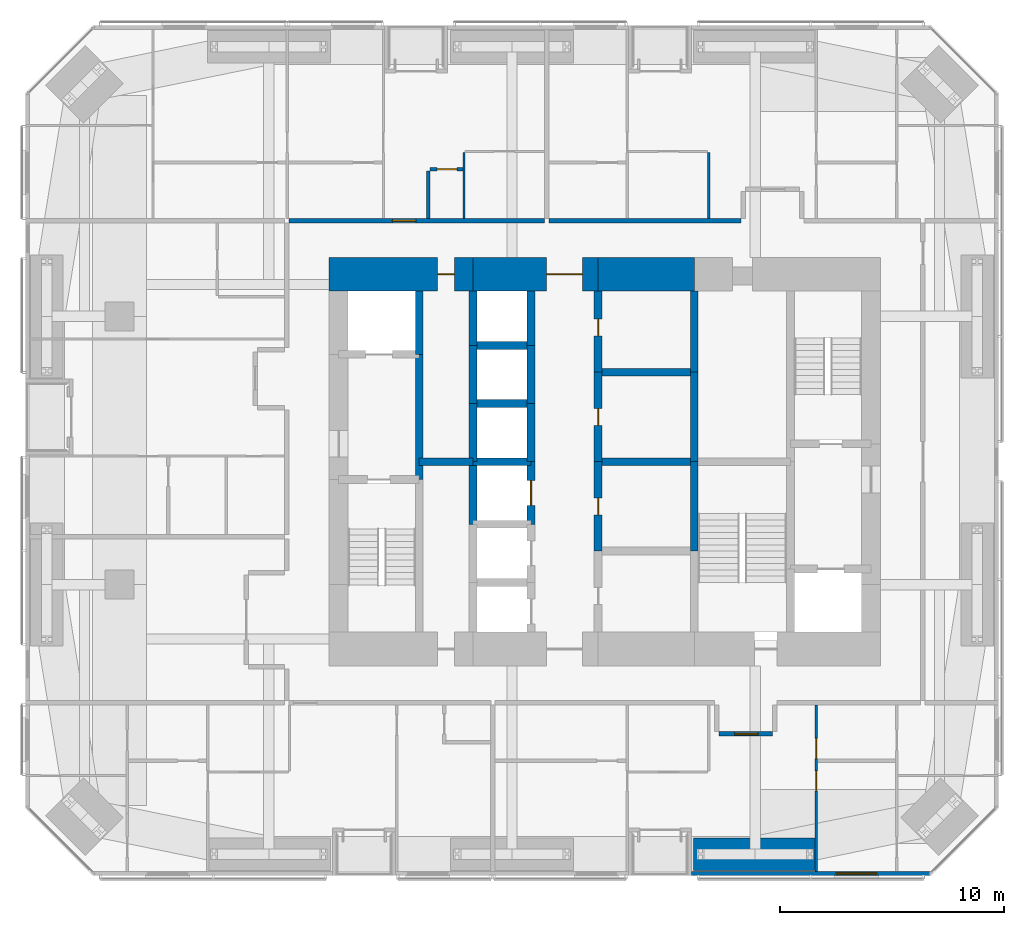
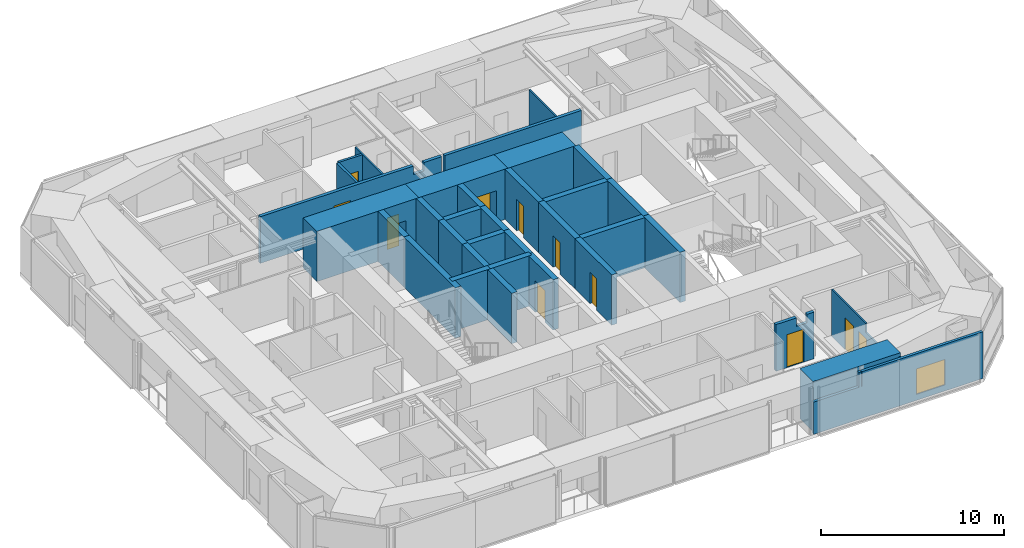
# One storey, part 20 of 24: 35 walls, 11 doors, 1 window, 12 openings.
"""IFC4 building model written with IfcOpenShell, lengths in metres."""

from ifc_helpers import new_model, si_unit, direction, frame, frame_2d, origin, place, context, subcontext, project, spatial, polyline, rectangle, outline, extrude, material, layer, layer_set, constituent, constituent_set, type_object, element, fill, save


model = new_model("IFC4")

# Units and contexts
model_context = context("Model", 3, precision=1e-05, world=origin(), true_north=direction((0.0, 1.0)))
body_context = subcontext(model_context, "Body", "Model", "MODEL_VIEW")
ifc_project = project(units=[si_unit("LENGTHUNIT", "METRE"), si_unit("AREAUNIT", "SQUARE_METRE"), si_unit("VOLUMEUNIT", "CUBIC_METRE"), si_unit("PLANEANGLEUNIT", "RADIAN"), si_unit("MASSUNIT", "GRAM", prefix="KILO")], contexts=[model_context])

# Site, building, storey
site_placement = place(None, origin())
site = spatial("IfcSite", under=ifc_project, at=site_placement, CompositionType="ELEMENT")
building_placement = place(site_placement, origin())
building = spatial("IfcBuilding", under=site, at=building_placement, Name="Jalousie Tower", CompositionType="ELEMENT")
storey_placement = place(building_placement, frame((0.0, 0.0, 124.949951171875)))
storey = spatial("IfcBuildingStorey", under=building, at=storey_placement, Name="L34", CompositionType="ELEMENT", Elevation=124.949951171875)

# Wall, opening, door
ifc_material_1 = material(Name="Concrete block ASTM C90", Category="concrete")
ifc_constituent_1 = constituent(ifc_material_1, Name="Body")
ifc_material_2 = material(Name="Render")
ifc_constituent_2 = constituent(ifc_material_2, Name="Finish")
ifc_constituent_set_1 = constituent_set(constituents=[ifc_constituent_1, ifc_constituent_2])
wall_type_1 = type_object("IfcWallType", Name="BATHROOM WALL 150", PredefinedType="PLUMBINGWALL", material=ifc_constituent_set_1)
wall_1_placement = place(storey_placement, frame((24.074951171875, 31.574951171875, 0.0), z_axis=(0.0, 0.0, 1.0), x_axis=(1.0, 0.0, 0.0)))
wall_1 = element("IfcWall", 1, at=wall_1_placement, inside=storey, type_object=wall_type_1, Name="Bathroom Wall 150 L34", PredefinedType="PLUMBINGWALL", context=body_context, shape_type="SweptSolid", body=[
    extrude(rectangle(XDim=1.47509765625, YDim=0.14990234375, at=frame_2d((0.737548828125, 0.0))), origin(), (0.0, 0.0, 1.0), 3.110107421875),
])
opening_1_placement = place(wall_1_placement, frame((0.324951171875, 0.0, 0.0)))
opening_1 = element("IfcOpeningElement", 2, at=opening_1_placement, cuts=wall_1, Name="Opening D7", PredefinedType="OPENING", context=body_context, shape_type="SweptSolid", body=[
    extrude(rectangle(XDim=0.89990234375, YDim=2.10009765625, at=frame_2d((0.449951171875, 1.050048828125))), frame((0.0, 0.0849609375, 0.0), z_axis=(0.0, -1.0, 0.0), x_axis=(1.0, 0.0, 0.0)), (0.0, 0.0, 1.0), 0.169921875),
])
ifc_material_3 = material(Name="Timber door", Category="wood")
door_type_1 = type_object("IfcDoorType", Name="INTERNAL DOOR 900", OperationType="SINGLE_SWING_LEFT", PredefinedType="DOOR", material=ifc_material_3)
door_1_placement = place(opening_1_placement, frame((0.89990234375, 0.0, 0.0), z_axis=(0.0, 0.0, 1.0), x_axis=(-1.0, 0.0, 0.0)))
door_1 = element("IfcDoor", 3, at=door_1_placement, inside=storey, type_object=door_type_1, Name="Apartment 3403 guest WC door", OperationType="SINGLE_SWING_LEFT", OverallHeight=2.10009765625, OverallWidth=0.89990234375, PredefinedType="DOOR", context=body_context, shape_type="SweptSolid", body=[
    extrude(rectangle(XDim=0.89990234375, YDim=2.10009765625, at=frame_2d((0.449951171875, 1.050048828125))), frame((0.0, 0.02490234375, 0.0), z_axis=(0.0, -1.0, 0.0), x_axis=(1.0, 0.0, 0.0)), (0.0, 0.0, 1.0), 0.050048828125),
])
fill(opening_1, door_1)

# Walls
wall_2_placement = place(storey_placement, frame((24.0, 31.5, 0.0), z_axis=(0.0, 0.0, 1.0), x_axis=(0.0, -1.0, 0.0)))
element("IfcWall", 4, at=wall_2_placement, inside=storey, type_object=wall_type_1, Name="Bathroom Wall 150 L34", PredefinedType="PLUMBINGWALL", context=body_context, shape_type="SweptSolid", body=[
    extrude(rectangle(XDim=2.125, YDim=0.14990234375, at=frame_2d((1.0625, 0.0))), origin(), (0.0, 0.0, 1.0), 3.110107421875),
])
ifc_material_4 = material(Name="Concrete f'c 120 MPa", Category="concrete")
ifc_layer_1 = layer(ifc_material_4, 1.5)
ifc_layer_set_1 = layer_set([ifc_layer_1], Name="Concrete f'c 120 MPa")
wall_type_2 = type_object("IfcWallType", Name="CORE WALL 1500", PredefinedType="SHEAR", material=ifc_layer_set_1)
wall_3_placement = place(storey_placement, frame((35.89990234375, 26.875, 0.0), z_axis=(0.0, 0.0, 1.0), x_axis=(-1.0, 0.0, 0.0)))
element("IfcWall", 5, at=wall_3_placement, inside=storey, type_object=wall_type_2, Name="Core wall NB L34", PredefinedType="SHEAR", context=body_context, shape_type="SweptSolid", body=[
    extrude(rectangle(XDim=4.2998046875, YDim=1.5, at=frame_2d((2.14990234375, 0.0))), origin(), (0.0, 0.0, 1.0), 3.35009765625),
])

# Wall, opening, door
wall_4_placement = place(storey_placement, frame((31.60009765625, 26.875, 0.0), z_axis=(0.0, 0.0, 1.0), x_axis=(-1.0, 0.0, 0.0)))
wall_4 = element("IfcWall", 6, at=wall_4_placement, inside=storey, type_object=wall_type_2, Name="Core wall NC L34", PredefinedType="SHEAR", context=body_context, shape_type="SweptSolid", body=[
    extrude(rectangle(XDim=5.60009765625, YDim=1.5, at=frame_2d((2.800048828125, 0.0))), origin(), (0.0, 0.0, 1.0), 3.35009765625),
])
opening_2_placement = place(wall_4_placement, frame((0.699951171875, 0.0, 0.0)))
opening_2 = element("IfcOpeningElement", 7, at=opening_2_placement, cuts=wall_4, Name="Opening D15", PredefinedType="OPENING", context=body_context, shape_type="SweptSolid", body=[
    extrude(rectangle(XDim=1.60009765625, YDim=2.10009765625, at=frame_2d((0.800048828125, 1.050048828125))), frame((0.0, 0.760009765625, 0.0), z_axis=(0.0, -1.0, 0.0), x_axis=(1.0, 0.0, 0.0)), (0.0, 0.0, 1.0), 1.52001953125),
])
ifc_material_5 = material(Name="Steel fire door", Category="steel")
door_type_2 = type_object("IfcDoorType", Name="LIFT LOBBY DOOR 1600", OperationType="DOUBLE_DOOR_SINGLE_SWING", PredefinedType="DOOR", material=ifc_material_5)
door_2_placement = place(opening_2_placement, origin())
door_2 = element("IfcDoor", 8, at=door_2_placement, inside=storey, type_object=door_type_2, Name="Lift lobby north door", OperationType="DOUBLE_DOOR_SINGLE_SWING", OverallHeight=2.10009765625, OverallWidth=1.60009765625, PredefinedType="DOOR", context=body_context, shape_type="SweptSolid", body=[
    extrude(rectangle(XDim=1.60009765625, YDim=2.10009765625, at=frame_2d((0.800048828125, 1.050048828125))), frame((0.0, 0.02490234375, 0.0), z_axis=(0.0, -1.0, 0.0), x_axis=(1.0, 0.0, 0.0)), (0.0, 0.0, 1.0), 0.050048828125),
])
fill(opening_2, door_2)

wall_5_placement = place(storey_placement, frame((26.0, 26.875, 0.0), z_axis=(0.0, 0.0, 1.0), x_axis=(-1.0, 0.0, 0.0)))
wall_5 = element("IfcWall", 9, at=wall_5_placement, inside=storey, type_object=wall_type_2, Name="Core wall ND L34", PredefinedType="SHEAR", context=body_context, shape_type="SweptSolid", body=[
    extrude(rectangle(XDim=6.425048828125, YDim=1.5, at=frame_2d((3.21240234375, 0.0))), origin(), (0.0, 0.0, 1.0), 3.35009765625),
])
opening_3_placement = place(wall_5_placement, frame((0.824951171875, 0.0, 0.0)))
opening_3 = element("IfcOpeningElement", 10, at=opening_3_placement, cuts=wall_5, Name="Opening D16", PredefinedType="OPENING", context=body_context, shape_type="SweptSolid", body=[
    extrude(rectangle(XDim=0.75, YDim=2.10009765625, at=frame_2d((0.375, 1.050048828125))), frame((0.0, 0.760009765625, 0.0), z_axis=(0.0, -1.0, 0.0), x_axis=(1.0, 0.0, 0.0)), (0.0, 0.0, 1.0), 1.52001953125),
])
ifc_material_6 = material(Name="Steel fire door", Category="steel")
door_type_3 = type_object("IfcDoorType", Name="RISER DOOR 750", OperationType="SINGLE_SWING_LEFT", PredefinedType="DOOR", material=ifc_material_6)
door_3_placement = place(opening_3_placement, origin())
door_3 = element("IfcDoor", 11, at=door_3_placement, inside=storey, type_object=door_type_3, Name="North riser door", OperationType="SINGLE_SWING_RIGHT", OverallHeight=2.10009765625, OverallWidth=0.75, PredefinedType="DOOR", context=body_context, shape_type="SweptSolid", body=[
    extrude(rectangle(XDim=0.75, YDim=2.10009765625, at=frame_2d((0.375, 1.050048828125))), frame((0.0, 0.02490234375, 0.0), z_axis=(0.0, -1.0, 0.0), x_axis=(1.0, 0.0, 0.0)), (0.0, 0.0, 1.0), 0.050048828125),
])
fill(opening_3, door_3)

# Walls
ifc_material_7 = material(Name="Concrete f'c 120 MPa", Category="concrete")
ifc_layer_2 = layer(ifc_material_7, 0.35009765625)
ifc_layer_set_2 = layer_set([ifc_layer_2], Name="Concrete f'c 120 MPa")
wall_type_3 = type_object("IfcWallType", Name="CORE WALL 350", PredefinedType="SHEAR", material=ifc_layer_set_2)
wall_6_placement = place(storey_placement, frame((23.60009765625, 17.699951171875, 0.0), z_axis=(0.0, 0.0, 1.0), x_axis=(0.0, 1.0, 0.0)))
element("IfcWall", 12, at=wall_6_placement, inside=storey, type_object=wall_type_3, Name="Core wall X23.6B L34", PredefinedType="SHEAR", context=body_context, shape_type="SweptSolid", body=[
    extrude(rectangle(XDim=5.60009765625, YDim=0.35009765625, at=frame_2d((2.800048828125, 0.0))), origin(), (0.0, 0.0, 1.0), 3.35009765625),
])
wall_7_placement = place(storey_placement, frame((23.60009765625, 23.300048828125, 0.0), z_axis=(0.0, 0.0, 1.0), x_axis=(0.0, 1.0, 0.0)))
element("IfcWall", 13, at=wall_7_placement, inside=storey, type_object=wall_type_3, Name="Core wall X23.6C L34", PredefinedType="SHEAR", context=body_context, shape_type="SweptSolid", body=[
    extrude(rectangle(XDim=2.824951171875, YDim=0.35009765625, at=frame_2d((1.41259765625, 0.0))), origin(), (0.0, 0.0, 1.0), 3.35009765625),
])
wall_8_placement = place(storey_placement, frame((26.0, 15.699951171875, 0.0), z_axis=(0.0, 0.0, 1.0), x_axis=(0.0, 1.0, 0.0)))
element("IfcWall", 14, at=wall_8_placement, inside=storey, type_object=wall_type_3, Name="Core wall X26C L34", PredefinedType="SHEAR", context=body_context, shape_type="SweptSolid", body=[
    extrude(rectangle(XDim=2.800048828125, YDim=0.35009765625, at=frame_2d((1.39990234375, 0.0))), origin(), (0.0, 0.0, 1.0), 3.35009765625),
])
wall_9_placement = place(storey_placement, frame((26.0, 18.5, 0.0), z_axis=(0.0, 0.0, 1.0), x_axis=(0.0, 1.0, 0.0)))
element("IfcWall", 15, at=wall_9_placement, inside=storey, type_object=wall_type_3, Name="Core wall X26D L34", PredefinedType="SHEAR", context=body_context, shape_type="SweptSolid", body=[
    extrude(rectangle(XDim=2.60009765625, YDim=0.35009765625, at=frame_2d((1.300048828125, 0.0))), origin(), (0.0, 0.0, 1.0), 3.35009765625),
])
wall_10_placement = place(storey_placement, frame((26.0, 21.10009765625, 0.0), z_axis=(0.0, 0.0, 1.0), x_axis=(0.0, 1.0, 0.0)))
element("IfcWall", 16, at=wall_10_placement, inside=storey, type_object=wall_type_3, Name="Core wall X26E L34", PredefinedType="SHEAR", context=body_context, shape_type="SweptSolid", body=[
    extrude(rectangle(XDim=2.599853515625, YDim=0.35009765625, at=frame_2d((1.2998046875, 0.0))), origin(), (0.0, 0.0, 1.0), 3.35009765625),
])
wall_11_placement = place(storey_placement, frame((26.0, 23.699951171875, 0.0), z_axis=(0.0, 0.0, 1.0), x_axis=(0.0, 1.0, 0.0)))
element("IfcWall", 17, at=wall_11_placement, inside=storey, type_object=wall_type_3, Name="Core wall X26F L34", PredefinedType="SHEAR", context=body_context, shape_type="SweptSolid", body=[
    extrude(rectangle(XDim=2.425048828125, YDim=0.35009765625, at=frame_2d((1.21240234375, 0.0))), origin(), (0.0, 0.0, 1.0), 3.35009765625),
])

# Wall, opening, door
wall_12_placement = place(storey_placement, frame((28.60009765625, 15.699951171875, 0.0), z_axis=(0.0, 0.0, 1.0), x_axis=(0.0, 1.0, 0.0)))
wall_12 = element("IfcWall", 18, at=wall_12_placement, inside=storey, type_object=wall_type_3, Name="Core wall X28.6C L34", PredefinedType="SHEAR", context=body_context, shape_type="SweptSolid", body=[
    extrude(rectangle(XDim=2.800048828125, YDim=0.35009765625, at=frame_2d((1.39990234375, 0.0))), origin(), (0.0, 0.0, 1.0), 3.35009765625),
])
opening_4_placement = place(wall_12_placement, frame((0.85009765625, 0.0, 0.0)))
opening_4 = element("IfcOpeningElement", 19, at=opening_4_placement, cuts=wall_12, Name="Opening LD1", PredefinedType="OPENING", context=body_context, shape_type="SweptSolid", body=[
    extrude(rectangle(XDim=1.10009765625, YDim=2.10009765625, at=frame_2d((0.550048828125, 1.050048828125))), frame((0.0, 0.18505859375, 0.0), z_axis=(0.0, -1.0, 0.0), x_axis=(1.0, 0.0, 0.0)), (0.0, 0.0, 1.0), 0.3701171875),
])
ifc_material_8 = material(Name="Steel lift landing door", Category="steel")
door_type_4 = type_object("IfcDoorType", Name="LIFT LANDING DOOR 1100", OperationType="SLIDING_TO_LEFT", PredefinedType="DOOR", material=ifc_material_8)
door_4_placement = place(opening_4_placement, origin())
door_4 = element("IfcDoor", 20, at=door_4_placement, inside=storey, type_object=door_type_4, Name="Lift P3 landing door", OperationType="SLIDING_TO_LEFT", OverallHeight=2.10009765625, OverallWidth=1.10009765625, PredefinedType="DOOR", context=body_context, shape_type="SweptSolid", body=[
    extrude(rectangle(XDim=1.10009765625, YDim=2.10009765625, at=frame_2d((0.550048828125, 1.050048828125))), frame((0.0, 0.02490234375, 0.0), z_axis=(0.0, -1.0, 0.0), x_axis=(1.0, 0.0, 0.0)), (0.0, 0.0, 1.0), 0.050048828125),
])
fill(opening_4, door_4)

# Walls
wall_13_placement = place(storey_placement, frame((28.60009765625, 18.5, 0.0), z_axis=(0.0, 0.0, 1.0), x_axis=(0.0, 1.0, 0.0)))
element("IfcWall", 21, at=wall_13_placement, inside=storey, type_object=wall_type_3, Name="Core wall X28.6D L34", PredefinedType="SHEAR", context=body_context, shape_type="SweptSolid", body=[
    extrude(rectangle(XDim=2.60009765625, YDim=0.35009765625, at=frame_2d((1.300048828125, 0.0))), origin(), (0.0, 0.0, 1.0), 3.35009765625),
])
wall_14_placement = place(storey_placement, frame((28.60009765625, 21.10009765625, 0.0), z_axis=(0.0, 0.0, 1.0), x_axis=(0.0, 1.0, 0.0)))
element("IfcWall", 22, at=wall_14_placement, inside=storey, type_object=wall_type_3, Name="Core wall X28.6E L34", PredefinedType="SHEAR", context=body_context, shape_type="SweptSolid", body=[
    extrude(rectangle(XDim=2.599853515625, YDim=0.35009765625, at=frame_2d((1.2998046875, 0.0))), origin(), (0.0, 0.0, 1.0), 3.35009765625),
])
wall_15_placement = place(storey_placement, frame((28.60009765625, 23.699951171875, 0.0), z_axis=(0.0, 0.0, 1.0), x_axis=(0.0, 1.0, 0.0)))
element("IfcWall", 23, at=wall_15_placement, inside=storey, type_object=wall_type_3, Name="Core wall X28.6F L34", PredefinedType="SHEAR", context=body_context, shape_type="SweptSolid", body=[
    extrude(rectangle(XDim=2.425048828125, YDim=0.35009765625, at=frame_2d((1.21240234375, 0.0))), origin(), (0.0, 0.0, 1.0), 3.35009765625),
])

# Wall, opening, door
wall_16_placement = place(storey_placement, frame((31.60009765625, 14.5, 0.0), z_axis=(0.0, 0.0, 1.0), x_axis=(0.0, 1.0, 0.0)))
wall_16 = element("IfcWall", 24, at=wall_16_placement, inside=storey, type_object=wall_type_3, Name="Core wall X31.6B L34", PredefinedType="SHEAR", context=body_context, shape_type="SweptSolid", body=[
    extrude(rectangle(XDim=4.0, YDim=0.35009765625, at=frame_2d((2.0, 0.0))), origin(), (0.0, 0.0, 1.0), 3.35009765625),
])
opening_5_placement = place(wall_16_placement, frame((1.625, 0.0, 0.0)))
opening_5 = element("IfcOpeningElement", 25, at=opening_5_placement, cuts=wall_16, Name="Opening D16", PredefinedType="OPENING", context=body_context, shape_type="SweptSolid", body=[
    extrude(rectangle(XDim=0.75, YDim=2.10009765625, at=frame_2d((0.375, 1.050048828125))), frame((0.0, 0.18505859375, 0.0), z_axis=(0.0, -1.0, 0.0), x_axis=(1.0, 0.0, 0.0)), (0.0, 0.0, 1.0), 0.3701171875),
])
door_5_placement = place(opening_5_placement, frame((0.75, 0.0, 0.0), z_axis=(0.0, 0.0, 1.0), x_axis=(-1.0, 0.0, 0.0)))
door_5 = element("IfcDoor", 26, at=door_5_placement, inside=storey, type_object=door_type_3, Name="Electrical Room door", OperationType="SINGLE_SWING_RIGHT", OverallHeight=2.10009765625, OverallWidth=0.75, PredefinedType="DOOR", context=body_context, shape_type="SweptSolid", body=[
    extrude(rectangle(XDim=0.75, YDim=2.10009765625, at=frame_2d((0.375, 1.050048828125))), frame((0.0, 0.02490234375, 0.0), z_axis=(0.0, -1.0, 0.0), x_axis=(1.0, 0.0, 0.0)), (0.0, 0.0, 1.0), 0.050048828125),
])
fill(opening_5, door_5)

wall_17_placement = place(storey_placement, frame((31.60009765625, 18.5, 0.0), z_axis=(0.0, 0.0, 1.0), x_axis=(0.0, 1.0, 0.0)))
wall_17 = element("IfcWall", 27, at=wall_17_placement, inside=storey, type_object=wall_type_3, Name="Core wall X31.6C L34", PredefinedType="SHEAR", context=body_context, shape_type="SweptSolid", body=[
    extrude(rectangle(XDim=4.0, YDim=0.35009765625, at=frame_2d((2.0, 0.0))), origin(), (0.0, 0.0, 1.0), 3.35009765625),
])
opening_6_placement = place(wall_17_placement, frame((1.625, 0.0, 0.0)))
opening_6 = element("IfcOpeningElement", 28, at=opening_6_placement, cuts=wall_17, Name="Opening D16", PredefinedType="OPENING", context=body_context, shape_type="SweptSolid", body=[
    extrude(rectangle(XDim=0.75, YDim=2.10009765625, at=frame_2d((0.375, 1.050048828125))), frame((0.0, 0.18505859375, 0.0), z_axis=(0.0, -1.0, 0.0), x_axis=(1.0, 0.0, 0.0)), (0.0, 0.0, 1.0), 0.3701171875),
])
door_6_placement = place(opening_6_placement, frame((0.75, 0.0, 0.0), z_axis=(0.0, 0.0, 1.0), x_axis=(-1.0, 0.0, 0.0)))
door_6 = element("IfcDoor", 29, at=door_6_placement, inside=storey, type_object=door_type_3, Name="Telecom Room door", OperationType="SINGLE_SWING_RIGHT", OverallHeight=2.10009765625, OverallWidth=0.75, PredefinedType="DOOR", context=body_context, shape_type="SweptSolid", body=[
    extrude(rectangle(XDim=0.75, YDim=2.10009765625, at=frame_2d((0.375, 1.050048828125))), frame((0.0, 0.02490234375, 0.0), z_axis=(0.0, -1.0, 0.0), x_axis=(1.0, 0.0, 0.0)), (0.0, 0.0, 1.0), 0.050048828125),
])
fill(opening_6, door_6)

wall_18_placement = place(storey_placement, frame((31.60009765625, 22.5, 0.0), z_axis=(0.0, 0.0, 1.0), x_axis=(0.0, 1.0, 0.0)))
wall_18 = element("IfcWall", 30, at=wall_18_placement, inside=storey, type_object=wall_type_3, Name="Core wall X31.6D L34", PredefinedType="SHEAR", context=body_context, shape_type="SweptSolid", body=[
    extrude(rectangle(XDim=3.625, YDim=0.35009765625, at=frame_2d((1.8125, 0.0))), origin(), (0.0, 0.0, 1.0), 3.35009765625),
])
opening_7_placement = place(wall_18_placement, frame((1.625, 0.0, 0.0)))
opening_7 = element("IfcOpeningElement", 31, at=opening_7_placement, cuts=wall_18, Name="Opening D16", PredefinedType="OPENING", context=body_context, shape_type="SweptSolid", body=[
    extrude(rectangle(XDim=0.75, YDim=2.10009765625, at=frame_2d((0.375, 1.050048828125))), frame((0.0, 0.18505859375, 0.0), z_axis=(0.0, -1.0, 0.0), x_axis=(1.0, 0.0, 0.0)), (0.0, 0.0, 1.0), 0.3701171875),
])
door_7_placement = place(opening_7_placement, frame((0.75, 0.0, 0.0), z_axis=(0.0, 0.0, 1.0), x_axis=(-1.0, 0.0, 0.0)))
door_7 = element("IfcDoor", 32, at=door_7_placement, inside=storey, type_object=door_type_3, Name="Water Services Room door", OperationType="SINGLE_SWING_LEFT", OverallHeight=2.10009765625, OverallWidth=0.75, PredefinedType="DOOR", context=body_context, shape_type="SweptSolid", body=[
    extrude(rectangle(XDim=0.75, YDim=2.10009765625, at=frame_2d((0.375, 1.050048828125))), frame((0.0, 0.02490234375, 0.0), z_axis=(0.0, -1.0, 0.0), x_axis=(1.0, 0.0, 0.0)), (0.0, 0.0, 1.0), 0.050048828125),
])
fill(opening_7, door_7)

# Walls
for number, where, z_axis, x_axis, name in (
    (33, (35.89990234375, 14.5, 0.0), (0.0, 0.0, 1.0), (0.0, 1.0, 0.0), "Core wall X35.9B L34"),
    (34, (35.89990234375, 18.5, 0.0), (0.0, 0.0, 1.0), (0.0, 1.0, 0.0), "Core wall X35.9C L34"),
):
    element("IfcWall", number, at=place(storey_placement, frame(where, z_axis=z_axis, x_axis=x_axis)), inside=storey, type_object=wall_type_3, Name=name, PredefinedType="SHEAR", context=body_context, shape_type="SweptSolid", body=[
        extrude(rectangle(XDim=4.0, YDim=0.35009765625, at=frame_2d((2.0, 0.0))), origin(), (0.0, 0.0, 1.0), 3.35009765625),
    ])
wall_19_placement = place(storey_placement, frame((35.89990234375, 22.5, 0.0), z_axis=(0.0, 0.0, 1.0), x_axis=(0.0, 1.0, 0.0)))
element("IfcWall", 35, at=wall_19_placement, inside=storey, type_object=wall_type_3, Name="Core wall X35.9D L34", PredefinedType="SHEAR", context=body_context, shape_type="SweptSolid", body=[
    extrude(rectangle(XDim=3.625, YDim=0.35009765625, at=frame_2d((1.8125, 0.0))), origin(), (0.0, 0.0, 1.0), 3.35009765625),
])
wall_20_placement = place(storey_placement, frame((23.60009765625, 18.5, 0.0), z_axis=(0.0, 0.0, 1.0), x_axis=(1.0, 0.0, 0.0)))
element("IfcWall", 36, at=wall_20_placement, inside=storey, type_object=wall_type_3, Name="Core wall Y23.6-18.5 L34", PredefinedType="SHEAR", context=body_context, shape_type="SweptSolid", body=[
    extrude(rectangle(XDim=2.39990234375, YDim=0.35009765625, at=frame_2d((1.199951171875, 0.0))), origin(), (0.0, 0.0, 1.0), 3.35009765625),
])
for number, where, z_axis, x_axis, name in (
    (37, (26.0, 18.5, 0.0), (0.0, 0.0, 1.0), (1.0, 0.0, 0.0), "Core wall Y26-18.5 L34"),
    (38, (26.0, 21.10009765625, 0.0), (0.0, 0.0, 1.0), (1.0, 0.0, 0.0), "Core wall Y26-21.1 L34"),
    (39, (26.0, 23.699951171875, 0.0), (0.0, 0.0, 1.0), (1.0, 0.0, 0.0), "Core wall Y26-23.7 L34"),
):
    element("IfcWall", number, at=place(storey_placement, frame(where, z_axis=z_axis, x_axis=x_axis)), inside=storey, type_object=wall_type_3, Name=name, PredefinedType="SHEAR", context=body_context, shape_type="SweptSolid", body=[
        extrude(rectangle(XDim=2.60009765625, YDim=0.35009765625, at=frame_2d((1.300048828125, 0.0))), origin(), (0.0, 0.0, 1.0), 3.35009765625),
    ])
for number, where, z_axis, x_axis, name in (
    (40, (31.60009765625, 18.5, 0.0), (0.0, 0.0, 1.0), (1.0, 0.0, 0.0), "Core wall Y31.6-18.5 L34"),
    (41, (31.60009765625, 22.5, 0.0), (0.0, 0.0, 1.0), (1.0, 0.0, 0.0), "Core wall Y31.6-22.5 L34"),
):
    element("IfcWall", number, at=place(storey_placement, frame(where, z_axis=z_axis, x_axis=x_axis)), inside=storey, type_object=wall_type_3, Name=name, PredefinedType="SHEAR", context=body_context, shape_type="SweptSolid", body=[
        extrude(rectangle(XDim=4.2998046875, YDim=0.35009765625, at=frame_2d((2.14990234375, 0.0))), origin(), (0.0, 0.0, 1.0), 3.35009765625),
    ])

# Wall, opening, door
ifc_material_9 = material(Name="Concrete block ASTM C90", Category="concrete")
ifc_constituent_3 = constituent(ifc_material_9, Name="Body")
ifc_material_10 = material(Name="Render")
ifc_constituent_4 = constituent(ifc_material_10, Name="Finish")
ifc_constituent_set_2 = constituent_set(constituents=[ifc_constituent_3, ifc_constituent_4])
wall_type_4 = type_object("IfcWallType", Name="CORRIDOR WALL 200", PredefinedType="PARTITIONING", material=ifc_constituent_set_2)
wall_21_placement = place(storey_placement, frame((17.77490234375, 29.27490234375, 0.0), z_axis=(0.0, 0.0, 1.0), x_axis=(1.0, 0.0, 0.0)))
wall_21 = element("IfcWall", 42, at=wall_21_placement, inside=storey, type_object=wall_type_4, Name="Corridor Wall 200 L34", PredefinedType="PARTITIONING", context=body_context, shape_type="SweptSolid", body=[
    extrude(outline(polyline([(0.0, 0.0), (11.425048828125, 0.0), (11.425048828125, 3.110107421875), (10.312255859375, 3.110107421875), (10.312255859375, 2.541015625), (9.6376953125, 2.541015625), (9.6376953125, 3.110107421875), (0.0, 3.110107421875), (0.0, 0.0)])), frame((0.0, 0.10009765625, 0.0), z_axis=(0.0, -1.0, 0.0), x_axis=(1.0, 0.0, 0.0)), (0.0, 0.0, 1.0), 0.199951171875),
])
opening_8_placement = place(wall_21_placement, frame((4.625, 0.0, 0.0)))
opening_8 = element("IfcOpeningElement", 43, at=opening_8_placement, cuts=wall_21, Name="Opening D1", PredefinedType="OPENING", context=body_context, shape_type="SweptSolid", body=[
    extrude(rectangle(XDim=1.050048828125, YDim=2.199951171875, at=frame_2d((0.52490234375, 1.10009765625))), frame((0.0, 0.10986328125, 0.0), z_axis=(0.0, -1.0, 0.0), x_axis=(1.0, 0.0, 0.0)), (0.0, 0.0, 1.0), 0.219970703125),
])
ifc_material_11 = material(Name="Timber fire door", Category="wood")
door_type_5 = type_object("IfcDoorType", Name="APARTMENT ENTRANCE DOOR 1050", OperationType="SINGLE_SWING_LEFT", PredefinedType="DOOR", material=ifc_material_11)
door_8_placement = place(opening_8_placement, origin())
door_8 = element("IfcDoor", 44, at=door_8_placement, inside=storey, type_object=door_type_5, Name="Apartment 3403 entrance", OperationType="SINGLE_SWING_LEFT", OverallHeight=2.199951171875, OverallWidth=1.050048828125, PredefinedType="DOOR", context=body_context, shape_type="SweptSolid", body=[
    extrude(rectangle(XDim=1.050048828125, YDim=2.199951171875, at=frame_2d((0.52490234375, 1.10009765625))), frame((0.0, 0.02490234375, 0.0), z_axis=(0.0, -1.0, 0.0), x_axis=(1.0, 0.0, 0.0)), (0.0, 0.0, 1.0), 0.050048828125),
])
fill(opening_8, door_8)

# Wall
wall_22_placement = place(storey_placement, frame((29.39990234375, 29.27490234375, 0.0), z_axis=(0.0, 0.0, 1.0), x_axis=(1.0, 0.0, 0.0)))
element("IfcWall", 45, at=wall_22_placement, inside=storey, type_object=wall_type_4, Name="Corridor Wall 200 L34", PredefinedType="PARTITIONING", context=body_context, shape_type="SweptSolid", body=[
    extrude(rectangle(XDim=8.60009765625, YDim=0.199951171875, at=frame_2d((4.300048828125, 0.0))), origin(), (0.0, 0.0, 1.0), 3.110107421875),
])

# Wall, opening, door
wall_23_placement = place(storey_placement, frame((37.0, 6.324951171875, 0.0), z_axis=(0.0, 0.0, 1.0), x_axis=(1.0, 0.0, 0.0)))
wall_23 = element("IfcWall", 46, at=wall_23_placement, inside=storey, type_object=wall_type_4, Name="Corridor Wall 200 L34", PredefinedType="PARTITIONING", context=body_context, shape_type="SweptSolid", body=[
    extrude(outline(polyline([(0.0, 0.0), (2.39990234375, 0.0), (2.39990234375, 3.110107421875), (1.96240234375, 3.110107421875), (1.96240234375, 2.541015625), (1.28759765625, 2.541015625), (1.28759765625, 3.110107421875), (0.0, 3.110107421875), (0.0, 0.0)])), frame((0.0, 0.10009765625, 0.0), z_axis=(0.0, -1.0, 0.0), x_axis=(1.0, 0.0, 0.0)), (0.0, 0.0, 1.0), 0.199951171875),
])
opening_9_placement = place(wall_23_placement, frame((0.699951171875, 0.0, 0.0)))
opening_9 = element("IfcOpeningElement", 47, at=opening_9_placement, cuts=wall_23, Name="Opening D1", PredefinedType="OPENING", context=body_context, shape_type="SweptSolid", body=[
    extrude(rectangle(XDim=1.050048828125, YDim=2.199951171875, at=frame_2d((0.52490234375, 1.10009765625))), frame((0.0, 0.10986328125, 0.0), z_axis=(0.0, -1.0, 0.0), x_axis=(1.0, 0.0, 0.0)), (0.0, 0.0, 1.0), 0.219970703125),
])
door_9_placement = place(opening_9_placement, frame((1.050048828125, 0.0, 0.0), z_axis=(0.0, 0.0, 1.0), x_axis=(-1.0, 0.0, 0.0)))
door_9 = element("IfcDoor", 48, at=door_9_placement, inside=storey, type_object=door_type_5, Name="Apartment 3402 entrance", OperationType="SINGLE_SWING_RIGHT", OverallHeight=2.199951171875, OverallWidth=1.050048828125, PredefinedType="DOOR", context=body_context, shape_type="SweptSolid", body=[
    extrude(rectangle(XDim=1.050048828125, YDim=2.199951171875, at=frame_2d((0.52490234375, 1.10009765625))), frame((0.0, 0.02490234375, 0.0), z_axis=(0.0, -1.0, 0.0), x_axis=(1.0, 0.0, 0.0)), (0.0, 0.0, 1.0), 0.050048828125),
])
fill(opening_9, door_9)

# Wall, opening, window
ifc_material_12 = material(Name="Concrete f'c 40 MPa", Category="concrete")
ifc_constituent_5 = constituent(ifc_material_12, Name="Body")
ifc_material_13 = material(Name="Render, pastel sea green")
ifc_constituent_6 = constituent(ifc_material_13, Name="Finish")
ifc_constituent_set_3 = constituent_set(constituents=[ifc_constituent_5, ifc_constituent_6])
wall_type_5 = type_object("IfcWallType", Name="EXTERNAL WALL 175 SEA GREEN RENDER", PredefinedType="SOLIDWALL", material=ifc_constituent_set_3)
wall_24_placement = place(storey_placement, frame((35.77490234375, 0.08740234375, 0.0), z_axis=(0.0, 0.0, 1.0), x_axis=(1.0, 0.0, 0.0)))
wall_24 = element("IfcWall", 49, at=wall_24_placement, inside=storey, type_object=wall_type_5, Name="External Wall 175 Sea Green Render L34", PredefinedType="SOLIDWALL", context=body_context, shape_type="SweptSolid", body=[
    extrude(outline(polyline([(0.0, 0.0), (10.673828125, 0.0), (10.673583984375, 3.110107421875), (3.05322265625, 3.110107421875), (3.05322265625, 2.150146484375), (3.008056640625, 2.150146484375), (3.008056640625, 3.110107421875), (2.85009765625, 3.110107421875), (2.85009765625, 2.150146484375), (0.0, 2.150146484375), (0.0, 0.0)])), frame((0.0, 0.08740234375, 0.0), z_axis=(0.0, -1.0, 0.0), x_axis=(1.0, 0.0, 0.0)), (0.0, 0.0, 1.0), 0.175048828125),
])
opening_10_placement = place(wall_24_placement, frame((6.47509765625, 0.0, 0.39990234375)))
opening_10 = element("IfcOpeningElement", 50, at=opening_10_placement, cuts=wall_24, Name="Opening W-BED170", PredefinedType="OPENING", context=body_context, shape_type="SweptSolid", body=[
    extrude(rectangle(XDim=1.800048828125, YDim=1.699951171875, at=frame_2d((0.89990234375, 0.85009765625))), frame((0.0, 0.097412109375, 0.0), z_axis=(0.0, -1.0, 0.0), x_axis=(1.0, 0.0, 0.0)), (0.0, 0.0, 1.0), 0.195068359375),
])
ifc_material_14 = material(Name="Aluminium frame, impact-rated glazing", Category="aluminium")
window_type = type_object("IfcWindowType", Name="WINDOW BED 1800x1700", PartitioningType="SINGLE_PANEL", PredefinedType="WINDOW", material=ifc_material_14)
window_placement = place(opening_10_placement, origin())
window = element("IfcWindow", 51, at=window_placement, inside=storey, type_object=window_type, Name="Apartment 3402 bedroom 2 window", OverallHeight=1.699951171875, OverallWidth=1.800048828125, PartitioningType="SINGLE_PANEL", PredefinedType="WINDOW", context=body_context, shape_type="SweptSolid", body=[
    extrude(rectangle(XDim=1.800048828125, YDim=1.699951171875, at=frame_2d((0.89990234375, 0.85009765625))), frame((0.0, 0.030029296875, 0.0), z_axis=(0.0, -1.0, 0.0), x_axis=(1.0, 0.0, 0.0)), (0.0, 0.0, 1.0), 0.06005859375),
])
fill(opening_10, window)

# Wall, openings, doors
ifc_material_15 = material(Name="Gypsum board", Category="gypsum")
ifc_constituent_7 = constituent(ifc_material_15, Name="Body")
ifc_material_16 = material(Name="Light-gauge steel studs ASTM A653 SS Grade 33", Category="steel")
ifc_constituent_8 = constituent(ifc_material_16, Name="Framing")
ifc_constituent_set_4 = constituent_set(constituents=[ifc_constituent_7, ifc_constituent_8])
wall_type_6 = type_object("IfcWallType", Name="PARTITION 100", PredefinedType="PARTITIONING", material=ifc_constituent_set_4)
wall_25_placement = place(storey_placement, frame((41.35009765625, 0.175048828125, 0.0), z_axis=(0.0, 0.0, 1.0), x_axis=(0.0, 1.0, 0.0)))
wall_25 = element("IfcWall", 52, at=wall_25_placement, inside=storey, type_object=wall_type_6, Name="Partition 100 L34", PredefinedType="PARTITIONING", context=body_context, shape_type="SweptSolid", body=[
    extrude(outline(polyline([(0.0, 0.0), (7.449951171875, 0.0), (7.449951171875, 3.110107421875), (3.71630859375, 3.110107421875), (3.71630859375, 2.510009765625), (2.20849609375, 2.510009765625), (2.20849609375, 2.150146484375), (0.453125, 2.150146484375), (0.453125, 3.110107421875), (0.0, 3.110107421875), (0.0, 0.0)])), frame((0.0, 0.050048828125, 0.0), z_axis=(0.0, -1.0, 0.0), x_axis=(1.0, 0.0, 0.0)), (0.0, 0.0, 1.0), 0.10009765625),
])
opening_11_placement = place(wall_25_placement, frame((3.60009765625, 0.0, 0.0)))
opening_11 = element("IfcOpeningElement", 53, at=opening_11_placement, cuts=wall_25, Name="Opening D2", PredefinedType="OPENING", context=body_context, shape_type="SweptSolid", body=[
    extrude(rectangle(XDim=0.89990234375, YDim=2.10009765625, at=frame_2d((0.449951171875, 1.050048828125))), frame((0.0, 0.06005859375, 0.0), z_axis=(0.0, -1.0, 0.0), x_axis=(1.0, 0.0, 0.0)), (0.0, 0.0, 1.0), 0.1201171875),
])
opening_12_placement = place(wall_25_placement, frame((5.050048828125, 0.0, 0.0)))
opening_12 = element("IfcOpeningElement", 54, at=opening_12_placement, cuts=wall_25, Name="Opening D7", PredefinedType="OPENING", context=body_context, shape_type="SweptSolid", body=[
    extrude(rectangle(XDim=0.89990234375, YDim=2.10009765625, at=frame_2d((0.449951171875, 1.050048828125))), frame((0.0, 0.06005859375, 0.0), z_axis=(0.0, -1.0, 0.0), x_axis=(1.0, 0.0, 0.0)), (0.0, 0.0, 1.0), 0.1201171875),
])
ifc_material_17 = material(Name="Timber door", Category="wood")
door_type_6 = type_object("IfcDoorType", Name="BEDROOM DOOR 900", OperationType="SINGLE_SWING_LEFT", PredefinedType="DOOR", material=ifc_material_17)
door_10_placement = place(opening_11_placement, frame((0.89990234375, 0.0, 0.0), z_axis=(0.0, 0.0, 1.0), x_axis=(-1.0, 0.0, 0.0)))
door_10 = element("IfcDoor", 55, at=door_10_placement, inside=storey, type_object=door_type_6, Name="Apartment 3402 bedroom 2 door", OperationType="SINGLE_SWING_LEFT", OverallHeight=2.10009765625, OverallWidth=0.89990234375, PredefinedType="DOOR", context=body_context, shape_type="SweptSolid", body=[
    extrude(rectangle(XDim=0.89990234375, YDim=2.10009765625, at=frame_2d((0.449951171875, 1.050048828125))), frame((0.0, 0.02490234375, 0.0), z_axis=(0.0, -1.0, 0.0), x_axis=(1.0, 0.0, 0.0)), (0.0, 0.0, 1.0), 0.050048828125),
])
fill(opening_11, door_10)
door_11_placement = place(opening_12_placement, frame((0.89990234375, 0.0, 0.0), z_axis=(0.0, 0.0, 1.0), x_axis=(-1.0, 0.0, 0.0)))
door_11 = element("IfcDoor", 56, at=door_11_placement, inside=storey, type_object=door_type_1, Name="Apartment 3402 bathroom door", OperationType="SINGLE_SWING_RIGHT", OverallHeight=2.10009765625, OverallWidth=0.89990234375, PredefinedType="DOOR", context=body_context, shape_type="SweptSolid", body=[
    extrude(rectangle(XDim=0.89990234375, YDim=2.10009765625, at=frame_2d((0.449951171875, 1.050048828125))), frame((0.0, 0.02490234375, 0.0), z_axis=(0.0, -1.0, 0.0), x_axis=(1.0, 0.0, 0.0)), (0.0, 0.0, 1.0), 0.050048828125),
])
fill(opening_12, door_11)

# Walls
for number, where, z_axis, x_axis, name in (
    (57, (25.60009765625, 32.324951171875, 0.0), (0.0, 0.0, 1.0), (0.0, -1.0, 0.0), "Partition 100 L34"),
    (58, (36.550048828125, 32.324951171875, 0.0), (0.0, 0.0, 1.0), (0.0, -1.0, 0.0), "Partition 100 L34"),
):
    element("IfcWall", number, at=place(storey_placement, frame(where, z_axis=z_axis, x_axis=x_axis)), inside=storey, type_object=wall_type_6, Name=name, PredefinedType="PARTITIONING", context=body_context, shape_type="SweptSolid", body=[
        extrude(rectangle(XDim=2.949951171875, YDim=0.10009765625, at=frame_2d((1.47509765625, 0.0))), origin(), (0.0, 0.0, 1.0), 3.110107421875),
    ])
ifc_material_18 = material(Name="Concrete f'c 120 MPa", Category="concrete")
ifc_layer_3 = layer(ifc_material_18, 1.449951171875)
ifc_layer_set_3 = layer_set([ifc_layer_3], Name="Concrete f'c 120 MPa")
wall_type_7 = type_object("IfcWallType", Name="RC WALL PIER 1450", PredefinedType="SHEAR", material=ifc_layer_set_3)
wall_26_placement = place(storey_placement, frame((35.875, 0.949951171875, 0.0), z_axis=(0.0, 0.0, 1.0), x_axis=(1.0, 0.0, 0.0)))
element("IfcWall", 59, at=wall_26_placement, inside=storey, type_object=wall_type_7, Name="Wall pier 04 L34", PredefinedType="SHEAR", context=body_context, shape_type="SweptSolid", body=[
    extrude(rectangle(XDim=5.5, YDim=1.449951171875, at=frame_2d((2.75, 0.0))), origin(), (0.0, 0.0, 1.0), 3.35009765625),
])

save(model, "model.ifc")
